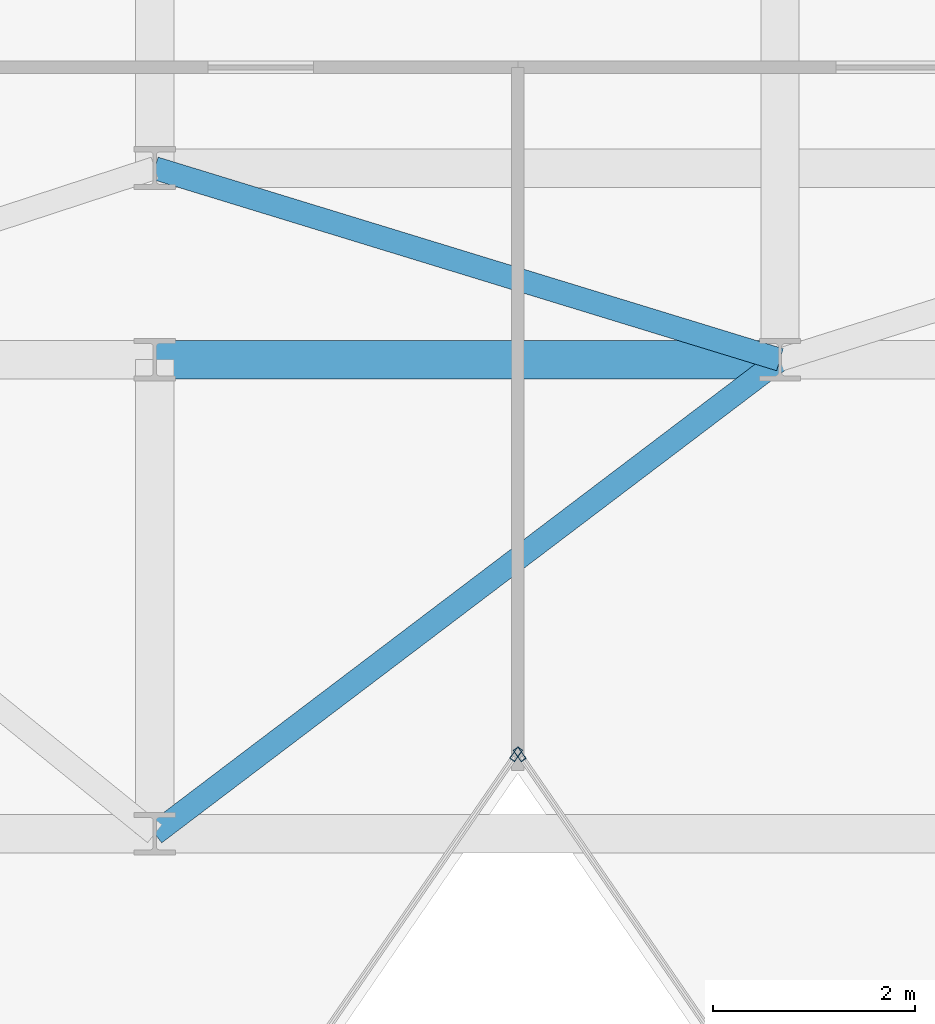
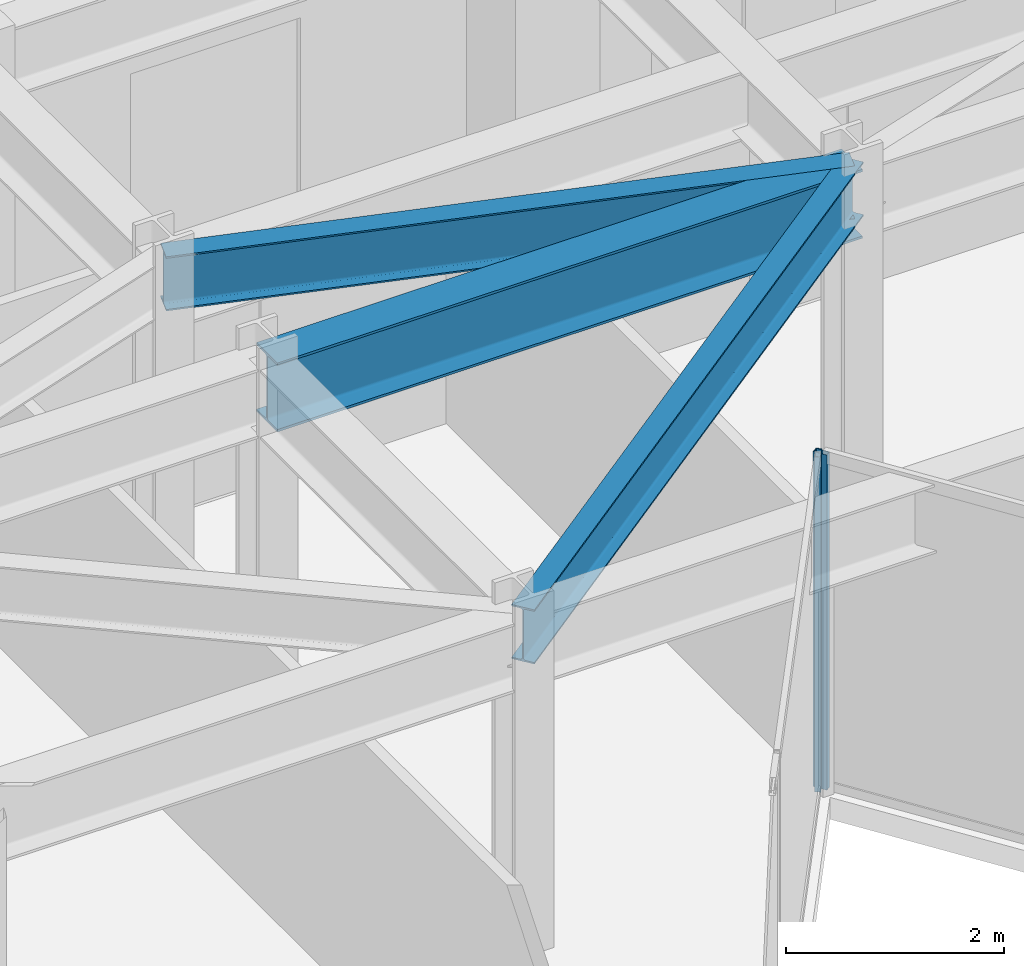
# One storey, part 14 of 27: 3 beams, 2 members, 2 elements without a shape of their own.
"""IFC4 building model written with IfcOpenShell, lengths in metres."""

from ifc_helpers import new_model, si_unit, direction, frame, origin, origin_2d, place, context, subcontext, project, spatial, hollow_rectangle, i_section, extrude, material, layer, layer_set, material_profile, profile_set, type_object, element, aggregate, save


model = new_model("IFC4")

# Units and contexts
model_context = context("Model", 3, precision=1e-05, world=origin(), true_north=direction((0.0, 1.0)))
body_context = subcontext(model_context, "Body", "Model", "MODEL_VIEW")
ifc_project = project(units=[si_unit("LENGTHUNIT", "METRE"), si_unit("AREAUNIT", "SQUARE_METRE"), si_unit("VOLUMEUNIT", "CUBIC_METRE"), si_unit("PLANEANGLEUNIT", "RADIAN"), si_unit("MASSUNIT", "GRAM", prefix="KILO")], contexts=[model_context])

# Site, building, storey
site_placement = place(None, origin())
site = spatial("IfcSite", under=ifc_project, at=site_placement, CompositionType="ELEMENT")
building_placement = place(site_placement, origin())
building = spatial("IfcBuilding", under=site, at=building_placement, Name="Kravanh Interchange Tower", CompositionType="ELEMENT")
storey_placement = place(building_placement, frame((0.0, 0.0, 188.5)))
storey = spatial("IfcBuildingStorey", under=building, at=storey_placement, Name="L45", CompositionType="ELEMENT", Elevation=188.5)

# Curtain wall, member
ifc_material_1 = material(Name="Anodised Bronze Aluminium", Category="aluminium")
ifc_layer = layer(ifc_material_1, 0.179931640625)
ifc_layer_set = layer_set([ifc_layer], Name="Unitised Curtain Wall System CW-Z3 Upper Office")
curtain_wall_type = type_object("IfcCurtainWallType", Name="Unitised Curtain Wall System CW-Z3 Upper Office", PredefinedType="NOTDEFINED", material=ifc_layer_set)
curtain_wall_1_placement = place(storey_placement, origin())
curtain_wall_1 = element("IfcCurtainWall", 1, at=curtain_wall_1_placement, inside=storey, type_object=curtain_wall_type, Name="L45 Unitised Curtain Wall CW-L45-04", PredefinedType="NOTDEFINED")
ifc_material_2 = material(Name="Anodised Bronze Aluminium", Category="aluminium")
ifc_material_profile_1 = material_profile(ifc_material_2, hollow_rectangle(XDim=0.06005859375, YDim=0.139892578125, WallThickness=0.00390625, at=origin_2d()), Name="ALU60X140X4")
ifc_profile_set_1 = profile_set([ifc_material_profile_1], Name="Anodised Bronze Aluminium")
member_type = type_object("IfcMemberType", Name="Curtain Wall Mullion ALU60X140X4 Bronze", PredefinedType="MULLION", material=ifc_profile_set_1)
member_1_placement = place(storey_placement, frame((42.217041015625, 27.587158203125, 0.0), z_axis=(0.0, 0.0, 1.0), x_axis=(-0.824042223035, -0.566528388217, 0.0)))
member_1 = element("IfcMember", 2, at=member_1_placement, type_object=member_type, Name="CW-Z3 mullion 5", PredefinedType="MULLION", context=body_context, shape_type="SweptSolid", body=[
    extrude(hollow_rectangle(XDim=0.06005859375, YDim=0.139892578125, WallThickness=0.00390625, at=origin_2d()), origin(), (0.0, 0.0, 1.0), 3.7548828125),
])
aggregate(curtain_wall_1, [member_1])

curtain_wall_2_placement = place(storey_placement, origin())
curtain_wall_2 = element("IfcCurtainWall", 3, at=curtain_wall_2_placement, inside=storey, type_object=curtain_wall_type, Name="L45 Unitised Curtain Wall CW-L45-05", PredefinedType="NOTDEFINED")
member_2_placement = place(storey_placement, frame((42.18310546875, 27.587158203125, 0.0), z_axis=(0.0, 0.0, 1.0), x_axis=(0.824042223035, -0.566528388217, 0.0)))
member_2 = element("IfcMember", 4, at=member_2_placement, type_object=member_type, Name="CW-Z3 mullion 1", PredefinedType="MULLION", context=body_context, shape_type="SweptSolid", body=[
    extrude(hollow_rectangle(XDim=0.06005859375, YDim=0.139892578125, WallThickness=0.00390625, at=origin_2d()), origin(), (0.0, 0.0, 1.0), 3.7548828125),
])
aggregate(curtain_wall_2, [member_2])

# Beams
ifc_material_3 = material(Name="Structural Steel S355", Category="steel")
ifc_material_profile_2 = material_profile(ifc_material_3, i_section(OverallWidth=0.381103515625, OverallDepth=0.77294921875, WebThickness=0.0166015625, FlangeThickness=0.027099609375, FilletRadius=0.02490234375, at=origin_2d()), Name="W30X173")
ifc_profile_set_2 = profile_set([ifc_material_profile_2], Name="Structural Steel S355")
beam_type_1 = type_object("IfcBeamType", Name="Floor Beam W30X173 Structural Steel S355", PredefinedType="BEAM", material=ifc_profile_set_2)
beam_1_placement = place(storey_placement, frame((38.60009765625, 31.5, 3.368408203125), z_axis=(1.0, 0.0, 0.0), x_axis=(0.0, 1.0, 0.0)))
element("IfcBeam", 5, at=beam_1_placement, inside=storey, type_object=beam_type_1, Name="L45 Primary Floor Girder 72", PredefinedType="BEAM", context=body_context, shape_type="SweptSolid", body=[
    extrude(i_section(OverallWidth=0.381103515625, OverallDepth=0.77294921875, WebThickness=0.0166015625, FlangeThickness=0.027099609375, FilletRadius=0.02490234375, at=origin_2d()), origin(), (0.0, 0.0, 1.0), 6.199951171875),
])
ifc_material_4 = material(Name="Structural Steel S355", Category="steel")
ifc_material_profile_3 = material_profile(ifc_material_4, i_section(OverallWidth=0.22802734375, OverallDepth=0.60791015625, WebThickness=0.01123046875, FlangeThickness=0.017333984375, FilletRadius=0.02197265625, at=origin_2d()), Name="W24X76")
ifc_profile_set_3 = profile_set([ifc_material_profile_3], Name="Structural Steel S355")
beam_type_2 = type_object("IfcBeamType", Name="Floor Spandrel W24X76 Structural Steel S355", PredefinedType="SPANDREL", material=ifc_profile_set_3)
beam_2_placement = place(storey_placement, frame((38.60009765625, 26.800048828125, 3.450927734375), z_axis=(0.796905365509, 0.604104161898, 0.0), x_axis=(-0.604104161898, 0.796905365509, 0.0)))
element("IfcBeam", 6, at=beam_2_placement, inside=storey, type_object=beam_type_2, Name="L45 Perimeter Spandrel 47", PredefinedType="SPANDREL", context=body_context, shape_type="SweptSolid", body=[
    extrude(i_section(OverallWidth=0.22802734375, OverallDepth=0.60791015625, WebThickness=0.01123046875, FlangeThickness=0.017333984375, FilletRadius=0.02197265625, at=origin_2d()), origin(), (0.0, 0.0, 1.0), 7.780029296875),
])
beam_3_placement = place(storey_placement, frame((44.800048828125, 31.5, 3.450927734375), z_axis=(-0.956115397264, 0.292990353279, 0.0), x_axis=(-0.292990353279, -0.956115397264, 0.0)))
element("IfcBeam", 7, at=beam_3_placement, inside=storey, type_object=beam_type_2, Name="L45 Perimeter Spandrel 76", PredefinedType="SPANDREL", context=body_context, shape_type="SweptSolid", body=[
    extrude(i_section(OverallWidth=0.22802734375, OverallDepth=0.60791015625, WebThickness=0.01123046875, FlangeThickness=0.017333984375, FilletRadius=0.02197265625, at=origin_2d()), origin(), (0.0, 0.0, 1.0), 6.484619140625),
])

save(model, "model.ifc")
